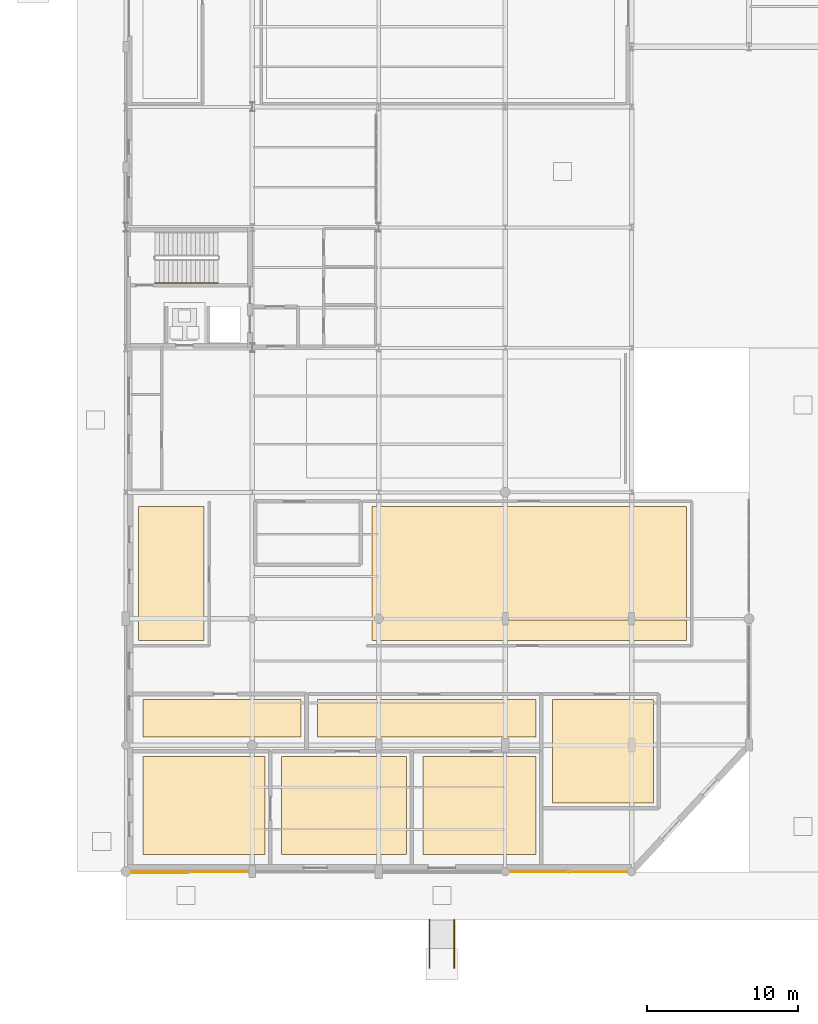
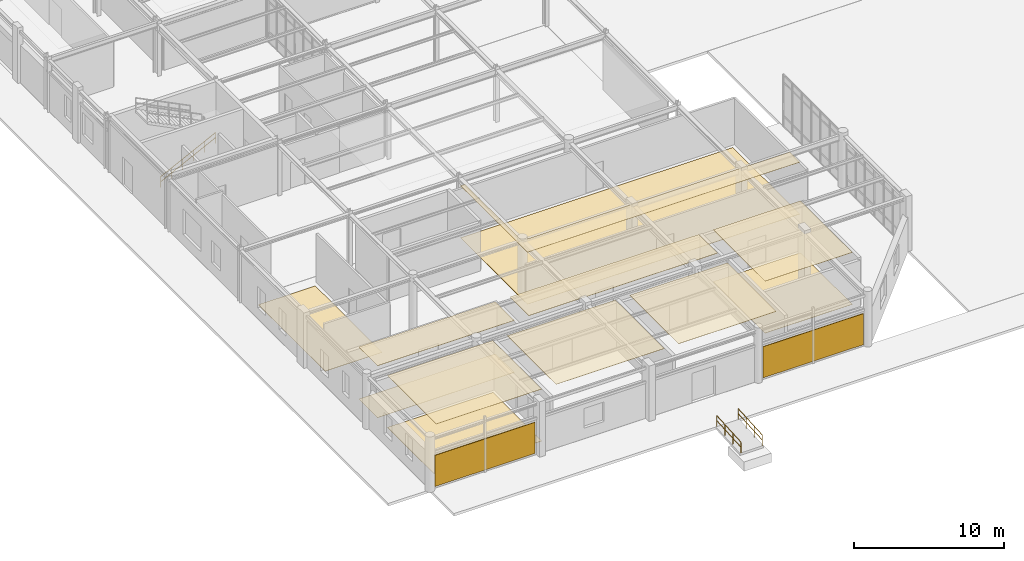
# One storey, part 91 of 101: 14 coverings, 3 railings.
"""IFC4 building model written with IfcOpenShell, lengths in metres."""

import ifcopenshell
import ifcopenshell.guid

model = None  # the IFC model being written
_history = None  # IfcOwnerHistory: only IFC2X3 demands one
_inside = {}  # id of a spatial element -> (the spatial element, [elements in it])
_under = {}  # id of a project, library or spatial element -> (it, [spatial elements below it])
_declared = {}  # id of a project -> (the project, [libraries it declares])
_typed = {}  # id of a type object -> (the type object, [elements of that type])
_made_of = {}  # id of a material, layer set ... -> (it, [elements and type objects made of it])


def new_model(schema):
    """Start an empty IFC model of exactly this schema.

    Asked for "IFC4X3", IfcOpenShell would pick the latest addendum, in which some entities
    have other attributes; the version numbers below select the first issue.
    IFC2X3 requires an IfcOwnerHistory on every rooted entity: one is made here for all.
    """
    global model, _history
    if schema == "IFC4X3":
        model = ifcopenshell.file(schema_version=(4, 3, 0, 0))
    else:
        model = ifcopenshell.file(schema=schema)
    _inside.clear()
    _under.clear()
    _declared.clear()
    _typed.clear()
    _made_of.clear()
    _history = None
    if model.schema == "IFC2X3":
        org = make("IfcOrganization", Name="unknown")
        user = make(
            "IfcPersonAndOrganization",
            ThePerson=make("IfcPerson", FamilyName="unknown"),
            TheOrganization=org,
        )
        app = make(
            "IfcApplication",
            ApplicationDeveloper=org,
            Version="unknown",
            ApplicationFullName="unknown",
            ApplicationIdentifier="unknown",
        )
        _history = make(
            "IfcOwnerHistory",
            OwningUser=user,
            OwningApplication=app,
            ChangeAction="ADDED",
            CreationDate=0,
        )
    return model


def make(cls, **values):
    """One entity of the class cls with the attributes given. An attribute that is None is left unset."""
    return model.create_entity(
        cls, **{name: value for name, value in values.items() if value is not None}
    )


def rooted(cls, **values):
    """An entity with a GlobalId (a new one), such as an element, a storey or a relation."""
    return make(cls, GlobalId=ifcopenshell.guid.new(), OwnerHistory=_history, **values)


def si_unit(unit_type, name, prefix=None):
    """IfcSIUnit, for example si_unit("LENGTHUNIT", "METRE", prefix="MILLI")."""
    return make("IfcSIUnit", UnitType=unit_type, Prefix=prefix, Name=name)


def derived_unit(unit_type, elements):
    """IfcDerivedUnit: a product of units, each with its exponent."""
    return make(
        "IfcDerivedUnit",
        Elements=[
            make("IfcDerivedUnitElement", Unit=unit, Exponent=power)
            for unit, power in elements
        ],
        UnitType=unit_type,
    )


def assignment(units):
    """IfcUnitAssignment: the units of a project."""
    return None if units is None else make("IfcUnitAssignment", Units=units)


def point(xyz):
    """IfcCartesianPoint."""
    return None if xyz is None else make("IfcCartesianPoint", Coordinates=xyz)


def direction(xyz):
    """IfcDirection."""
    return None if xyz is None else make("IfcDirection", DirectionRatios=xyz)


def frame(location, z_axis=None, x_axis=None):
    """IfcAxis2Placement3D, a coordinate frame: its origin and axes. An axis left out is left unset."""
    return make(
        "IfcAxis2Placement3D",
        Location=point(location),
        Axis=direction(z_axis),
        RefDirection=direction(x_axis),
    )


def frame_2d(location, x_axis=None):
    """IfcAxis2Placement2D, a coordinate frame in the plane: its origin and x axis."""
    return make(
        "IfcAxis2Placement2D", Location=point(location), RefDirection=direction(x_axis)
    )


def origin():
    """The frame at (0, 0, 0) with its axes left unset."""
    return frame((0.0, 0.0, 0.0))


def origin_2d():
    """The frame at (0, 0) in the plane with its x axis left unset."""
    return frame_2d((0.0, 0.0))


def place(relative_to, where):
    """IfcLocalPlacement: puts the frame where relative to a parent placement (None: the world)."""
    return make(
        "IfcLocalPlacement", PlacementRelTo=relative_to, RelativePlacement=where
    )


def context(
    kind, dimensions, precision=None, world=None, true_north=None, identifier=None
):
    """IfcGeometricRepresentationContext, for example the 3D "Model" context."""
    return make(
        "IfcGeometricRepresentationContext",
        ContextIdentifier=identifier,
        ContextType=kind,
        CoordinateSpaceDimension=dimensions,
        Precision=precision,
        WorldCoordinateSystem=world,
        TrueNorth=true_north,
    )


def subcontext(parent, identifier, kind, view, scale=None):
    """IfcGeometricRepresentationSubContext, for example "Body" below "Model"."""
    return make(
        "IfcGeometricRepresentationSubContext",
        ContextIdentifier=identifier,
        ContextType=kind,
        ParentContext=parent,
        TargetScale=scale,
        TargetView=view,
    )


def project(units=None, contexts=None):
    """IfcProject with its units and contexts."""
    return rooted(
        "IfcProject",
        Name="project",
        RepresentationContexts=contexts,
        UnitsInContext=assignment(units),
    )


def spatial(cls, under=None, at=None, **own):
    """A site, building, storey or space (cls), placed at a placement, below another one or the project."""
    s = rooted(cls, ObjectPlacement=at, **own)
    if under is not None:
        _under.setdefault(under.id(), (under, []))[1].append(s)
    return s


def polyline(points):
    """IfcPolyline through the points."""
    return make("IfcPolyline", Points=[point(p) for p in points])


def profile(cls, at=None, kind="AREA", **sizes):
    """A parametric profile (cls). Its sizes go by their IFC names, for example OverallWidth=200.0."""
    return make(cls, ProfileType=kind, Position=at, **sizes)


def rectangle(**sizes):
    """IfcRectangleProfileDef."""
    return profile("IfcRectangleProfileDef", **sizes)


def circle(**sizes):
    """IfcCircleProfileDef."""
    return profile("IfcCircleProfileDef", **sizes)


def outline(outer, holes=None, kind="AREA"):
    """IfcArbitraryClosedProfileDef: a profile drawn as a closed curve; with holes, ...WithVoids."""
    if holes is None:
        return make("IfcArbitraryClosedProfileDef", ProfileType=kind, OuterCurve=outer)
    return make(
        "IfcArbitraryProfileDefWithVoids",
        ProfileType=kind,
        OuterCurve=outer,
        InnerCurves=holes,
    )


def extrude(swept, where, along, depth):
    """IfcExtrudedAreaSolid: the profile swept, set in the frame where, extruded along a direction by depth."""
    return make(
        "IfcExtrudedAreaSolid",
        SweptArea=swept,
        Position=where,
        ExtrudedDirection=direction(along),
        Depth=depth,
    )


def shape(context_of_items, identifier, shape_type, items):
    """IfcShapeRepresentation: the items that make up one representation, for example the "Body"."""
    return make(
        "IfcShapeRepresentation",
        ContextOfItems=context_of_items,
        RepresentationIdentifier=identifier,
        RepresentationType=shape_type,
        Items=items,
    )


def material(Name=None, Category=None):
    """IfcMaterial."""
    return make("IfcMaterial", Name=Name, Category=Category)


def layer(
    of_material, thickness, ventilated=None, Name=None, Category=None, Priority=None
):
    """IfcMaterialLayer: one layer of a wall or slab, of a material (None: an air gap)."""
    return make(
        "IfcMaterialLayer",
        Material=of_material,
        LayerThickness=thickness,
        IsVentilated=ventilated,
        Name=Name,
        Category=Category,
        Priority=Priority,
    )


def layer_set(layers, Name=None):
    """IfcMaterialLayerSet."""
    return make("IfcMaterialLayerSet", MaterialLayers=layers, LayerSetName=Name)


def made_of(thing, what):
    """Note that an element or type object is made of a material, layer set ...; save() writes the relation."""
    if what is not None:
        _made_of.setdefault(what.id(), (what, []))[1].append(thing)
    return thing


def type_object(cls, material=None, **own):
    """A type object (cls), such as IfcWallType, which elements share."""
    return made_of(rooted(cls, **own), material)


def element(
    cls,
    number,
    at=None,
    inside=None,
    cuts=None,
    type_object=None,
    material=None,
    context=None,
    identifier="Body",
    shape_type=None,
    held_by="IfcProductDefinitionShape",
    body=None,
    shapes=None,
    **own,
):
    """One element of the class cls, such as IfcWall. Its Tag is "e" and its number.

    at: its placement. inside: the storey or other place that contains it. cuts: it is an
    opening in that element (IfcRelVoidsElement). A single representation is given by context,
    identifier, shape_type and body (its items); several are given by shapes. held_by: the class
    of the entity that holds the representations. save() writes the other relations.
    """
    e = rooted(cls, Tag="e%d" % number, ObjectPlacement=at, **own)
    if body is not None:
        shapes = [shape(context, identifier, shape_type, body)]
    if shapes is not None:
        e.Representation = make(held_by, Representations=shapes)
    if inside is not None:
        _inside.setdefault(inside.id(), (inside, []))[1].append(e)
    if cuts is not None:
        rooted(
            "IfcRelVoidsElement", RelatingBuildingElement=cuts, RelatedOpeningElement=e
        )
    if type_object is not None:
        _typed.setdefault(type_object.id(), (type_object, []))[1].append(e)
    return made_of(e, material)


def aggregate(whole, parts):
    """IfcRelAggregates: a whole, such as a stair, and the parts it consists of."""
    return rooted("IfcRelAggregates", RelatingObject=whole, RelatedObjects=parts)


def save(model, path):
    """Write the relations noted so far, then the file.

    IfcRelAggregates (storeys below a building ...), IfcRelContainedInSpatialStructure (elements
    in a storey), IfcRelDefinesByType, IfcRelAssociatesMaterial and IfcRelDeclares: one each for
    every whole, place, type object, material and project.
    """
    for whole, parts in _under.values():
        aggregate(whole, parts)
    for where, things in _inside.values():
        rooted(
            "IfcRelContainedInSpatialStructure",
            RelatedElements=things,
            RelatingStructure=where,
        )
    for kind, things in _typed.values():
        rooted("IfcRelDefinesByType", RelatedObjects=things, RelatingType=kind)
    for what, things in _made_of.values():
        rooted("IfcRelAssociatesMaterial", RelatedObjects=things, RelatingMaterial=what)
    for by, libraries in _declared.values():
        rooted("IfcRelDeclares", RelatingContext=by, RelatedDefinitions=libraries)
    model.write(path)


model = new_model("IFC4")

# Units and contexts
model_context = context("Model", 3, precision=1e-05, world=origin(), true_north=direction((0.0, 1.0)))
body_context = subcontext(model_context, "Body", "Model", "MODEL_VIEW")
ifc_project = project(units=[si_unit("LENGTHUNIT", "METRE"), si_unit("AREAUNIT", "SQUARE_METRE"), si_unit("VOLUMEUNIT", "CUBIC_METRE"), si_unit("PLANEANGLEUNIT", "RADIAN"), si_unit("MASSUNIT", "GRAM", prefix="KILO"), derived_unit("THERMALTRANSMITTANCEUNIT", [(si_unit("POWERUNIT", "WATT"), 1), (si_unit("AREAUNIT", "SQUARE_METRE"), -1), (si_unit("THERMODYNAMICTEMPERATUREUNIT", "KELVIN"), -1)])], contexts=[model_context])

# Site, building, storey
site_placement = place(None, origin())
site = spatial("IfcSite", under=ifc_project, at=site_placement, CompositionType="ELEMENT")
building_placement = place(site_placement, origin())
building = spatial("IfcBuilding", under=site, at=building_placement, Name="Yasenodar Specialist Clinic", CompositionType="ELEMENT")
storey_placement = place(building_placement, origin())
storey = spatial("IfcBuildingStorey", under=building, at=storey_placement, Name="L00", CompositionType="ELEMENT", Elevation=0.0)

# Coverings
ifc_material_1 = material(Name="Hygienic Acoustic Mineral-Fibre Ceiling")
ifc_layer_1 = layer(ifc_material_1, 0.02490234375)
ifc_layer_set_1 = layer_set([ifc_layer_1], Name="Hygienic Acoustic Mineral-Fibre Ceiling")
covering_type_1 = type_object("IfcCoveringType", Name="COV-CEIL-AC", PredefinedType="CEILING", material=ifc_layer_set_1)
covering_1_placement = place(storey_placement, frame((0.0, 0.0, 4.2099609375)))
element("IfcCovering", 1, at=covering_1_placement, inside=storey, type_object=covering_type_1, Name="L00 MRI Scanner Vault 01 Acoustic Ceiling", PredefinedType="CEILING", context=body_context, shape_type="SweptSolid", body=[
    extrude(outline(polyline([(9.25, 1.14990234375), (1.14990234375, 1.14990234375), (1.14990234375, 7.64990234375), (9.25, 7.64990234375), (9.25, 1.14990234375)])), origin(), (0.0, 0.0, 1.0), 0.025146484375),
])
covering_2_placement = place(storey_placement, frame((0.0, 0.0, 4.2099609375)))
element("IfcCovering", 2, at=covering_2_placement, inside=storey, type_object=covering_type_1, Name="L00 MRI Scanner Vault 02 Acoustic Ceiling", PredefinedType="CEILING", context=body_context, shape_type="SweptSolid", body=[
    extrude(outline(polyline([(18.64990234375, 1.14990234375), (10.35009765625, 1.14990234375), (10.35009765625, 7.64990234375), (18.64990234375, 7.64990234375), (18.64990234375, 1.14990234375)])), origin(), (0.0, 0.0, 1.0), 0.025146484375),
])
covering_3_placement = place(storey_placement, frame((0.0, 0.0, 4.2099609375)))
element("IfcCovering", 3, at=covering_3_placement, inside=storey, type_object=covering_type_1, Name="L00 MRI Shielded Control Room Acoustic Ceiling", PredefinedType="CEILING", context=body_context, shape_type="SweptSolid", body=[
    extrude(outline(polyline([(11.64990234375, 8.949951171875), (1.14990234375, 8.949951171875), (1.14990234375, 11.449951171875), (11.64990234375, 11.449951171875), (11.64990234375, 8.949951171875)])), origin(), (0.0, 0.0, 1.0), 0.025146484375),
])
covering_4_placement = place(storey_placement, frame((0.0, 0.0, 4.2099609375)))
element("IfcCovering", 4, at=covering_4_placement, inside=storey, type_object=covering_type_1, Name="L00 CT Scanner Suite 01 Acoustic Ceiling", PredefinedType="CEILING", context=body_context, shape_type="SweptSolid", body=[
    extrude(outline(polyline([(27.25, 1.14990234375), (19.75, 1.14990234375), (19.75, 7.64990234375), (27.25, 7.64990234375), (27.25, 1.14990234375)])), origin(), (0.0, 0.0, 1.0), 0.025146484375),
])
covering_5_placement = place(storey_placement, frame((0.0, 0.0, 4.2099609375)))
element("IfcCovering", 5, at=covering_5_placement, inside=storey, type_object=covering_type_1, Name="L00 CT Scanner Suite 02 Acoustic Ceiling", PredefinedType="CEILING", context=body_context, shape_type="SweptSolid", body=[
    extrude(outline(polyline([(35.050048828125, 4.550048828125), (28.35009765625, 4.550048828125), (28.35009765625, 11.449951171875), (35.050048828125, 11.449951171875), (35.050048828125, 4.550048828125)])), origin(), (0.0, 0.0, 1.0), 0.025146484375),
])
covering_6_placement = place(storey_placement, frame((0.0, 0.0, 4.2099609375)))
element("IfcCovering", 6, at=covering_6_placement, inside=storey, type_object=covering_type_1, Name="L00 CT Control and Patient Changing Room Acoustic Ceiling", PredefinedType="CEILING", context=body_context, shape_type="SweptSolid", body=[
    extrude(outline(polyline([(27.25, 8.949951171875), (12.75, 8.949951171875), (12.75, 11.449951171875), (27.25, 11.449951171875), (27.25, 8.949951171875)])), origin(), (0.0, 0.0, 1.0), 0.025146484375),
])
covering_7_placement = place(storey_placement, frame((0.0, 0.0, 4.2099609375)))
element("IfcCovering", 7, at=covering_7_placement, inside=storey, type_object=covering_type_1, Name="L00 Radiology Patient Reception and Sub-Waiting Acoustic Ceiling", PredefinedType="CEILING", context=body_context, shape_type="SweptSolid", body=[
    extrude(outline(polyline([(37.25, 15.35009765625), (16.35009765625, 15.35009765625), (16.35009765625, 24.25), (16.699951171875, 24.25), (16.699951171875, 16.800048828125), (16.699951171875, 16.7900390625), (16.701904296875, 16.780029296875), (16.7041015625, 16.77099609375), (16.7080078125, 16.761962890625), (16.7119140625, 16.7529296875), (16.717041015625, 16.743896484375), (16.722900390625, 16.737060546875), (16.72900390625, 16.72900390625), (16.737060546875, 16.722900390625), (16.743896484375, 16.717041015625), (16.7529296875, 16.7119140625), (16.761962890625, 16.7080078125), (16.77099609375, 16.7041015625), (16.780029296875, 16.701904296875), (16.7900390625, 16.699951171875), (16.800048828125, 16.699951171875), (37.25, 16.699951171875), (37.25, 15.35009765625)])), origin(), (0.0, 0.0, 1.0), 0.025146484375),
])
ifc_material_2 = material(Name="Kapustianske Red Granite Ashlar Cladding", Category="masonry")
ifc_layer_2 = layer(ifc_material_2, 0.0400390625)
ifc_layer_set_2 = layer_set([ifc_layer_2], Name="Kapustianske Red Granite Ashlar Cladding")
covering_type_2 = type_object("IfcCoveringType", Name="COV-CLAD-GRAN", PredefinedType="CLADDING", material=ifc_layer_set_2)
for number, where, z_axis, x_axis, name in (
    (8, (29.39990234375, -0.01806640625, 0.14990234375), (0.0, 0.0, 1.0), (-1.0, 0.0, 0.0), "L00 Granite Ashlar Rainscreen Panel 0040"),
    (9, (4.199951171875, -0.01806640625, 0.14990234375), (0.0, 0.0, 1.0), (-1.0, 0.0, 0.0), "L00 Granite Ashlar Rainscreen Panel 0043"),
):
    element("IfcCovering", number, at=place(storey_placement, frame(where, z_axis=z_axis, x_axis=x_axis)), inside=storey, type_object=covering_type_2, Name=name, PredefinedType="CLADDING", context=body_context, shape_type="SweptSolid", body=[
        extrude(rectangle(XDim=7.699951171875, YDim=0.0400390625, at=origin_2d()), origin(), (0.0, 0.0, 1.0), 2.528076171875),
    ])
ifc_material_3 = material(Name="Seamless Epoxy Terrazzo Clinical Flooring")
ifc_layer_3 = layer(ifc_material_3, 0.02001953125)
ifc_layer_set_3 = layer_set([ifc_layer_3], Name="Seamless Epoxy Terrazzo Clinical Flooring")
covering_type_3 = type_object("IfcCoveringType", Name="COV-FLR-TERR", PredefinedType="FLOORING", material=ifc_layer_set_3)
covering_8_placement = place(storey_placement, origin())
element("IfcCovering", 10, at=covering_8_placement, inside=storey, type_object=covering_type_3, Name="L00 MRI Scanner Vault 01 Terrazzo Flooring", PredefinedType="FLOORING", context=body_context, shape_type="SweptSolid", body=[
    extrude(outline(polyline([(9.25, 1.14990234375), (1.14990234375, 1.14990234375), (1.14990234375, 7.64990234375), (9.25, 7.64990234375), (9.25, 1.14990234375)])), origin(), (0.0, 0.0, 1.0), 0.02001953125),
])
covering_9_placement = place(storey_placement, origin())
element("IfcCovering", 11, at=covering_9_placement, inside=storey, type_object=covering_type_3, Name="L00 MRI Shielded Control Room Terrazzo Flooring", PredefinedType="FLOORING", context=body_context, shape_type="SweptSolid", body=[
    extrude(outline(polyline([(11.64990234375, 8.949951171875), (1.14990234375, 8.949951171875), (1.14990234375, 11.449951171875), (11.64990234375, 11.449951171875), (11.64990234375, 8.949951171875)])), origin(), (0.0, 0.0, 1.0), 0.02001953125),
])
covering_10_placement = place(storey_placement, origin())
element("IfcCovering", 12, at=covering_10_placement, inside=storey, type_object=covering_type_3, Name="L00 CT Scanner Suite 02 Terrazzo Flooring", PredefinedType="FLOORING", context=body_context, shape_type="SweptSolid", body=[
    extrude(outline(polyline([(35.050048828125, 4.550048828125), (28.35009765625, 4.550048828125), (28.35009765625, 11.449951171875), (35.050048828125, 11.449951171875), (35.050048828125, 4.550048828125)])), origin(), (0.0, 0.0, 1.0), 0.02001953125),
])
covering_11_placement = place(storey_placement, origin())
element("IfcCovering", 13, at=covering_11_placement, inside=storey, type_object=covering_type_3, Name="L00 Radiology Patient Reception and Sub-Waiting Terrazzo Flooring", PredefinedType="FLOORING", context=body_context, shape_type="SweptSolid", body=[
    extrude(outline(polyline([(37.25, 15.35009765625), (16.35009765625, 15.35009765625), (16.35009765625, 24.25), (37.25, 24.25), (37.25, 15.35009765625)])), origin(), (0.0, 0.0, 1.0), 0.02001953125),
])
covering_12_placement = place(storey_placement, origin())
element("IfcCovering", 14, at=covering_12_placement, inside=storey, type_object=covering_type_3, Name="L00 Contrast Prep and Cannulation Room Terrazzo Flooring", PredefinedType="FLOORING", context=body_context, shape_type="SweptSolid", body=[
    extrude(outline(polyline([(5.199951171875, 24.25), (5.199951171875, 15.35009765625), (0.830078125, 15.35009765625), (0.830078125, 24.25), (5.199951171875, 24.25)])), origin(), (0.0, 0.0, 1.0), 0.02001953125),
])

# Railings
ifc_material_4 = material(Name="Brushed Stainless Steel Handrail", Category="steel")
railing_type = type_object("IfcRailingType", Name="RL-ST-HND", PredefinedType="HANDRAIL", material=ifc_material_4)
railing_placement = place(storey_placement, frame((1.929931640625, 39.110107421875, 0.14990234375)))
element("IfcRailing", 15, at=railing_placement, inside=storey, type_object=railing_type, Name="L00 ST-01 stair handrail 1", PredefinedType="HANDRAIL", context=body_context, shape_type="SweptSolid", body=[
    extrude(circle(Radius=0.02392578125, at=origin_2d()), frame((0.0, 0.0, 0.8759765625), z_axis=(0.894416792377, 0.0, 0.447234392142), x_axis=(0.0, 1.0, 0.0)), (0.0, 0.0, 1.0), 4.69580078125),
    extrude(circle(Radius=0.02392578125, at=origin_2d()), frame((0.0, 0.0, 0.468017578125), z_axis=(0.894416792377, 0.0, 0.447234392142), x_axis=(0.0, 1.0, 0.0)), (0.0, 0.0, 1.0), 4.69580078125),
    extrude(circle(Radius=0.02099609375, at=origin_2d()), origin(), (0.0, 0.0, 1.0), 0.851806640625),
    extrude(circle(Radius=0.02099609375, at=origin_2d()), frame((0.840087890625, 0.0, 0.419921875)), (0.0, 0.0, 1.0), 0.851806640625),
    extrude(circle(Radius=0.02099609375, at=origin_2d()), frame((1.679931640625, 0.0, 0.840087890625)), (0.0, 0.0, 1.0), 0.851806640625),
    extrude(circle(Radius=0.02099609375, at=origin_2d()), frame((2.52001953125, 0.0, 1.260009765625)), (0.0, 0.0, 1.0), 0.851806640625),
    extrude(circle(Radius=0.02099609375, at=origin_2d()), frame((3.35986328125, 0.0, 1.68017578125)), (0.0, 0.0, 1.0), 0.851806640625),
    extrude(circle(Radius=0.02099609375, at=origin_2d()), frame((4.199951171875, 0.0, 2.10009765625)), (0.0, 0.0, 1.0), 0.851806640625),
])
for number, where, name in (
    (16, (20.179931640625, -6.39990234375, -0.199951171875), "South Imaging Accessible Approach Ramp Handrail L"),
    (17, (21.820068359375, -6.39990234375, -0.199951171875), "South Imaging Accessible Approach Ramp Handrail R"),
):
    element("IfcRailing", number, at=place(storey_placement, frame(where)), inside=storey, type_object=railing_type, Name=name, PredefinedType="HANDRAIL", context=body_context, shape_type="SweptSolid", body=[
        extrude(circle(Radius=0.02392578125, at=origin_2d()), frame((0.0, 0.0, 0.8759765625), z_axis=(0.0, 0.998053467252, 0.062364064216), x_axis=(-1.0, 0.0, 0.0)), (0.0, 0.0, 1.0), 3.206298828125),
        extrude(circle(Radius=0.02392578125, at=origin_2d()), frame((0.0, 0.0, 0.468017578125), z_axis=(0.0, 0.998053467252, 0.062364064216), x_axis=(-1.0, 0.0, 0.0)), (0.0, 0.0, 1.0), 3.206298828125),
        extrude(circle(Radius=0.02099609375, at=origin_2d()), origin(), (0.0, 0.0, 1.0), 0.851806640625),
        extrude(circle(Radius=0.02099609375, at=origin_2d()), frame((0.0, 1.066650390625, 0.066650390625)), (0.0, 0.0, 1.0), 0.851806640625),
        extrude(circle(Radius=0.02099609375, at=origin_2d()), frame((0.0, 2.13330078125, 0.13330078125)), (0.0, 0.0, 1.0), 0.851806640625),
        extrude(circle(Radius=0.02099609375, at=origin_2d()), frame((0.0, 3.199951171875, 0.199951171875)), (0.0, 0.0, 1.0), 0.851806640625),
    ])

save(model, "model.ifc")
